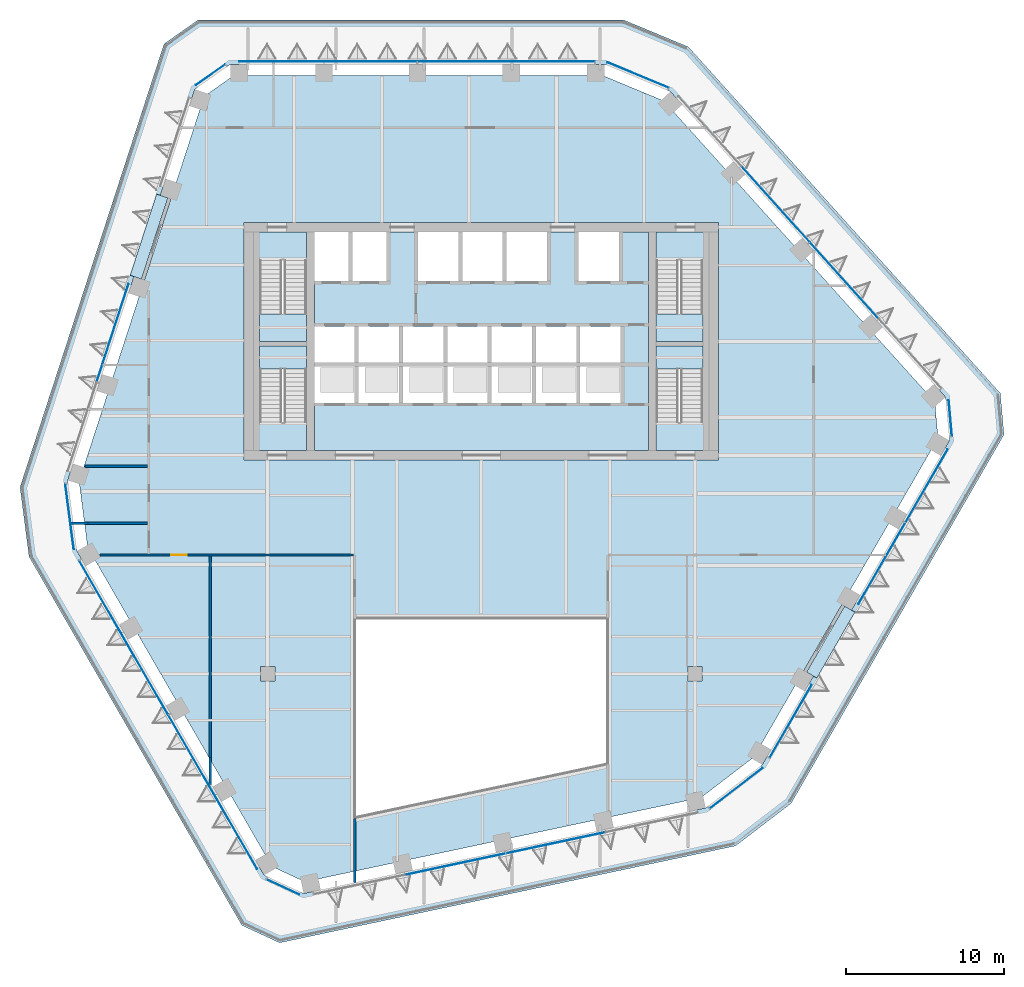
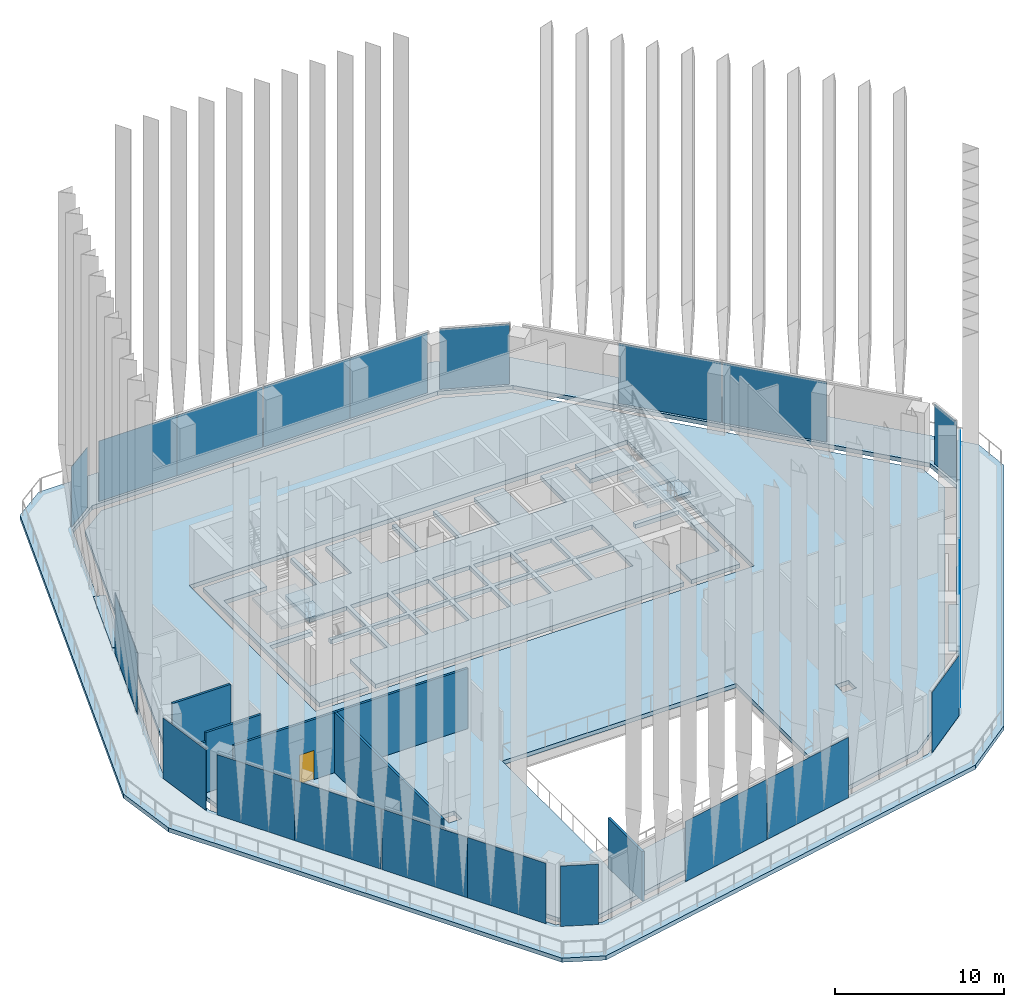
# One storey, part 8 of 21: 22 plates, 11 slabs, 7 walls, 1 door, 1 opening, 16 elements without a shape of their own.
"""IFC4 building model written with IfcOpenShell, lengths in metres."""

import ifcopenshell
import ifcopenshell.guid

model = None  # the IFC model being written
_history = None  # IfcOwnerHistory: only IFC2X3 demands one
_inside = {}  # id of a spatial element -> (the spatial element, [elements in it])
_under = {}  # id of a project, library or spatial element -> (it, [spatial elements below it])
_declared = {}  # id of a project -> (the project, [libraries it declares])
_typed = {}  # id of a type object -> (the type object, [elements of that type])
_made_of = {}  # id of a material, layer set ... -> (it, [elements and type objects made of it])


def new_model(schema):
    """Start an empty IFC model of exactly this schema.

    Asked for "IFC4X3", IfcOpenShell would pick the latest addendum, in which some entities
    have other attributes; the version numbers below select the first issue.
    IFC2X3 requires an IfcOwnerHistory on every rooted entity: one is made here for all.
    """
    global model, _history
    if schema == "IFC4X3":
        model = ifcopenshell.file(schema_version=(4, 3, 0, 0))
    else:
        model = ifcopenshell.file(schema=schema)
    _inside.clear()
    _under.clear()
    _declared.clear()
    _typed.clear()
    _made_of.clear()
    _history = None
    if model.schema == "IFC2X3":
        org = make("IfcOrganization", Name="unknown")
        user = make(
            "IfcPersonAndOrganization",
            ThePerson=make("IfcPerson", FamilyName="unknown"),
            TheOrganization=org,
        )
        app = make(
            "IfcApplication",
            ApplicationDeveloper=org,
            Version="unknown",
            ApplicationFullName="unknown",
            ApplicationIdentifier="unknown",
        )
        _history = make(
            "IfcOwnerHistory",
            OwningUser=user,
            OwningApplication=app,
            ChangeAction="ADDED",
            CreationDate=0,
        )
    return model


def make(cls, **values):
    """One entity of the class cls with the attributes given. An attribute that is None is left unset."""
    return model.create_entity(
        cls, **{name: value for name, value in values.items() if value is not None}
    )


def rooted(cls, **values):
    """An entity with a GlobalId (a new one), such as an element, a storey or a relation."""
    return make(cls, GlobalId=ifcopenshell.guid.new(), OwnerHistory=_history, **values)


def si_unit(unit_type, name, prefix=None):
    """IfcSIUnit, for example si_unit("LENGTHUNIT", "METRE", prefix="MILLI")."""
    return make("IfcSIUnit", UnitType=unit_type, Prefix=prefix, Name=name)


def assignment(units):
    """IfcUnitAssignment: the units of a project."""
    return None if units is None else make("IfcUnitAssignment", Units=units)


def point(xyz):
    """IfcCartesianPoint."""
    return None if xyz is None else make("IfcCartesianPoint", Coordinates=xyz)


def direction(xyz):
    """IfcDirection."""
    return None if xyz is None else make("IfcDirection", DirectionRatios=xyz)


def frame(location, z_axis=None, x_axis=None):
    """IfcAxis2Placement3D, a coordinate frame: its origin and axes. An axis left out is left unset."""
    return make(
        "IfcAxis2Placement3D",
        Location=point(location),
        Axis=direction(z_axis),
        RefDirection=direction(x_axis),
    )


def frame_2d(location, x_axis=None):
    """IfcAxis2Placement2D, a coordinate frame in the plane: its origin and x axis."""
    return make(
        "IfcAxis2Placement2D", Location=point(location), RefDirection=direction(x_axis)
    )


def origin():
    """The frame at (0, 0, 0) with its axes left unset."""
    return frame((0.0, 0.0, 0.0))


def origin_2d():
    """The frame at (0, 0) in the plane with its x axis left unset."""
    return frame_2d((0.0, 0.0))


def place(relative_to, where):
    """IfcLocalPlacement: puts the frame where relative to a parent placement (None: the world)."""
    return make(
        "IfcLocalPlacement", PlacementRelTo=relative_to, RelativePlacement=where
    )


def context(
    kind, dimensions, precision=None, world=None, true_north=None, identifier=None
):
    """IfcGeometricRepresentationContext, for example the 3D "Model" context."""
    return make(
        "IfcGeometricRepresentationContext",
        ContextIdentifier=identifier,
        ContextType=kind,
        CoordinateSpaceDimension=dimensions,
        Precision=precision,
        WorldCoordinateSystem=world,
        TrueNorth=true_north,
    )


def subcontext(parent, identifier, kind, view, scale=None):
    """IfcGeometricRepresentationSubContext, for example "Body" below "Model"."""
    return make(
        "IfcGeometricRepresentationSubContext",
        ContextIdentifier=identifier,
        ContextType=kind,
        ParentContext=parent,
        TargetScale=scale,
        TargetView=view,
    )


def project(units=None, contexts=None):
    """IfcProject with its units and contexts."""
    return rooted(
        "IfcProject",
        Name="project",
        RepresentationContexts=contexts,
        UnitsInContext=assignment(units),
    )


def spatial(cls, under=None, at=None, **own):
    """A site, building, storey or space (cls), placed at a placement, below another one or the project."""
    s = rooted(cls, ObjectPlacement=at, **own)
    if under is not None:
        _under.setdefault(under.id(), (under, []))[1].append(s)
    return s


def polyline(points):
    """IfcPolyline through the points."""
    return make("IfcPolyline", Points=[point(p) for p in points])


def profile(cls, at=None, kind="AREA", **sizes):
    """A parametric profile (cls). Its sizes go by their IFC names, for example OverallWidth=200.0."""
    return make(cls, ProfileType=kind, Position=at, **sizes)


def rectangle(**sizes):
    """IfcRectangleProfileDef."""
    return profile("IfcRectangleProfileDef", **sizes)


def outline(outer, holes=None, kind="AREA"):
    """IfcArbitraryClosedProfileDef: a profile drawn as a closed curve; with holes, ...WithVoids."""
    if holes is None:
        return make("IfcArbitraryClosedProfileDef", ProfileType=kind, OuterCurve=outer)
    return make(
        "IfcArbitraryProfileDefWithVoids",
        ProfileType=kind,
        OuterCurve=outer,
        InnerCurves=holes,
    )


def extrude(swept, where, along, depth):
    """IfcExtrudedAreaSolid: the profile swept, set in the frame where, extruded along a direction by depth."""
    return make(
        "IfcExtrudedAreaSolid",
        SweptArea=swept,
        Position=where,
        ExtrudedDirection=direction(along),
        Depth=depth,
    )


def shape(context_of_items, identifier, shape_type, items):
    """IfcShapeRepresentation: the items that make up one representation, for example the "Body"."""
    return make(
        "IfcShapeRepresentation",
        ContextOfItems=context_of_items,
        RepresentationIdentifier=identifier,
        RepresentationType=shape_type,
        Items=items,
    )


def material(Name=None, Category=None):
    """IfcMaterial."""
    return make("IfcMaterial", Name=Name, Category=Category)


def layer(
    of_material, thickness, ventilated=None, Name=None, Category=None, Priority=None
):
    """IfcMaterialLayer: one layer of a wall or slab, of a material (None: an air gap)."""
    return make(
        "IfcMaterialLayer",
        Material=of_material,
        LayerThickness=thickness,
        IsVentilated=ventilated,
        Name=Name,
        Category=Category,
        Priority=Priority,
    )


def layer_set(layers, Name=None):
    """IfcMaterialLayerSet."""
    return make("IfcMaterialLayerSet", MaterialLayers=layers, LayerSetName=Name)


def made_of(thing, what):
    """Note that an element or type object is made of a material, layer set ...; save() writes the relation."""
    if what is not None:
        _made_of.setdefault(what.id(), (what, []))[1].append(thing)
    return thing


def type_object(cls, material=None, **own):
    """A type object (cls), such as IfcWallType, which elements share."""
    return made_of(rooted(cls, **own), material)


def element(
    cls,
    number,
    at=None,
    inside=None,
    cuts=None,
    type_object=None,
    material=None,
    context=None,
    identifier="Body",
    shape_type=None,
    held_by="IfcProductDefinitionShape",
    body=None,
    shapes=None,
    **own,
):
    """One element of the class cls, such as IfcWall. Its Tag is "e" and its number.

    at: its placement. inside: the storey or other place that contains it. cuts: it is an
    opening in that element (IfcRelVoidsElement). A single representation is given by context,
    identifier, shape_type and body (its items); several are given by shapes. held_by: the class
    of the entity that holds the representations. save() writes the other relations.
    """
    e = rooted(cls, Tag="e%d" % number, ObjectPlacement=at, **own)
    if body is not None:
        shapes = [shape(context, identifier, shape_type, body)]
    if shapes is not None:
        e.Representation = make(held_by, Representations=shapes)
    if inside is not None:
        _inside.setdefault(inside.id(), (inside, []))[1].append(e)
    if cuts is not None:
        rooted(
            "IfcRelVoidsElement", RelatingBuildingElement=cuts, RelatedOpeningElement=e
        )
    if type_object is not None:
        _typed.setdefault(type_object.id(), (type_object, []))[1].append(e)
    return made_of(e, material)


def fill(opening, filler):
    """IfcRelFillsElement: the door or window that sits in an opening."""
    return rooted(
        "IfcRelFillsElement",
        RelatingOpeningElement=opening,
        RelatedBuildingElement=filler,
    )


def aggregate(whole, parts):
    """IfcRelAggregates: a whole, such as a stair, and the parts it consists of."""
    return rooted("IfcRelAggregates", RelatingObject=whole, RelatedObjects=parts)


def save(model, path):
    """Write the relations noted so far, then the file.

    IfcRelAggregates (storeys below a building ...), IfcRelContainedInSpatialStructure (elements
    in a storey), IfcRelDefinesByType, IfcRelAssociatesMaterial and IfcRelDeclares: one each for
    every whole, place, type object, material and project.
    """
    for whole, parts in _under.values():
        aggregate(whole, parts)
    for where, things in _inside.values():
        rooted(
            "IfcRelContainedInSpatialStructure",
            RelatedElements=things,
            RelatingStructure=where,
        )
    for kind, things in _typed.values():
        rooted("IfcRelDefinesByType", RelatedObjects=things, RelatingType=kind)
    for what, things in _made_of.values():
        rooted("IfcRelAssociatesMaterial", RelatedObjects=things, RelatingMaterial=what)
    for by, libraries in _declared.values():
        rooted("IfcRelDeclares", RelatingContext=by, RelatedDefinitions=libraries)
    model.write(path)


model = new_model("IFC4")

# Units and contexts
model_context = context("Model", 3, precision=1e-05, world=origin(), true_north=direction((0.0, 1.0)))
body_context = subcontext(model_context, "Body", "Model", "MODEL_VIEW")
ifc_project = project(units=[si_unit("LENGTHUNIT", "METRE"), si_unit("AREAUNIT", "SQUARE_METRE"), si_unit("VOLUMEUNIT", "CUBIC_METRE"), si_unit("PLANEANGLEUNIT", "RADIAN"), si_unit("MASSUNIT", "GRAM", prefix="KILO")], contexts=[model_context])

# Site, building, storey
site_placement = place(None, origin())
site = spatial("IfcSite", under=ifc_project, at=site_placement, CompositionType="ELEMENT")
building_placement = place(site_placement, origin())
building = spatial("IfcBuilding", under=site, at=building_placement, Name="Isthmus Gate Tower", CompositionType="ELEMENT")
storey_placement = place(building_placement, frame((0.0, 0.0, 211.800048828125)))
storey = spatial("IfcBuildingStorey", under=building, at=storey_placement, Name="L53", CompositionType="ELEMENT", Elevation=211.800048828125)

# Slabs
ifc_material_1 = material(Name="Concrete f'c 40 MPa", Category="concrete")
ifc_layer_1 = layer(ifc_material_1, 0.300048828125)
ifc_layer_set_1 = layer_set([ifc_layer_1], Name="CORE FLOOR SLAB 300")
slab_type_1 = type_object("IfcSlabType", Name="CORE FLOOR SLAB 300", PredefinedType="FLOOR", material=ifc_layer_set_1)
slab_1_placement = place(storey_placement, frame((0.0, 0.0, -0.300048828125)))
element("IfcSlab", 1, at=slab_1_placement, inside=storey, type_object=slab_type_1, Name="L53 core floor", PredefinedType="FLOOR", context=body_context, shape_type="SweptSolid", body=[
    extrude(outline(polyline([(-11.050048828125, 0.60009765625), (-11.050048828125, 2.402099609375), (-14.0, 2.402099609375), (-14.0, 7.199951171875), (-11.050048828125, 7.199951171875), (-11.050048828125, 7.5), (-14.0, 7.5), (-14.0, 12.597900390625), (-11.050048828125, 12.597900390625), (-11.050048828125, 14.39990234375), (-14.39990234375, 14.39990234375), (-14.39990234375, 0.60009765625), (-11.050048828125, 0.60009765625)])), origin(), (0.0, 0.0, 1.0), 0.300048828125),
])
slab_2_placement = place(storey_placement, frame((0.0, 0.0, -0.300048828125)))
element("IfcSlab", 2, at=slab_2_placement, inside=storey, type_object=slab_type_1, Name="L53 core floor", PredefinedType="FLOOR", context=body_context, shape_type="SweptSolid", body=[
    extrude(outline(polyline([(10.550048828125, 14.39990234375), (8.699951171875, 14.39990234375), (8.699951171875, 11.300048828125), (6.14990234375, 11.300048828125), (6.14990234375, 14.39990234375), (4.14990234375, 14.39990234375), (4.14990234375, 11.300048828125), (1.60009765625, 11.300048828125), (1.60009765625, 14.39990234375), (1.35009765625, 14.39990234375), (1.35009765625, 11.300048828125), (-1.199951171875, 11.300048828125), (-1.199951171875, 14.39990234375), (-1.449951171875, 14.39990234375), (-1.449951171875, 11.300048828125), (-4.0, 11.300048828125), (-4.0, 14.39990234375), (-6.0, 14.39990234375), (-6.0, 11.300048828125), (-8.14990234375, 11.300048828125), (-8.14990234375, 14.39990234375), (-8.39990234375, 14.39990234375), (-8.39990234375, 11.300048828125), (-10.550048828125, 11.300048828125), (-10.550048828125, 8.449951171875), (-8.0, 8.449951171875), (-8.0, 6.14990234375), (-10.550048828125, 6.14990234375), (-10.550048828125, 5.89990234375), (-8.0, 5.89990234375), (-8.0, 3.60009765625), (-10.550048828125, 3.60009765625), (-10.550048828125, 0.60009765625), (10.550048828125, 0.60009765625), (10.550048828125, 14.39990234375)]), holes=[polyline([(-5.199951171875, 3.60009765625), (-7.75, 3.60009765625), (-7.75, 5.89990234375), (-5.199951171875, 5.89990234375), (-5.199951171875, 3.60009765625)]), polyline([(-2.39990234375, 3.60009765625), (-4.949951171875, 3.60009765625), (-4.949951171875, 5.89990234375), (-2.39990234375, 5.89990234375), (-2.39990234375, 3.60009765625)]), polyline([(-5.199951171875, 6.14990234375), (-7.75, 6.14990234375), (-7.75, 8.449951171875), (-5.199951171875, 8.449951171875), (-5.199951171875, 6.14990234375)]), polyline([(-2.39990234375, 8.449951171875), (-2.39990234375, 6.14990234375), (-4.949951171875, 6.14990234375), (-4.949951171875, 8.449951171875), (-2.39990234375, 8.449951171875)]), polyline([(0.39990234375, 6.14990234375), (-2.14990234375, 6.14990234375), (-2.14990234375, 8.449951171875), (0.39990234375, 8.449951171875), (0.39990234375, 6.14990234375)]), polyline([(0.39990234375, 5.89990234375), (0.39990234375, 3.60009765625), (-2.14990234375, 3.60009765625), (-2.14990234375, 5.89990234375), (0.39990234375, 5.89990234375)]), polyline([(3.199951171875, 3.60009765625), (0.64990234375, 3.60009765625), (0.64990234375, 5.89990234375), (3.199951171875, 5.89990234375), (3.199951171875, 3.60009765625)]), polyline([(6.0, 3.60009765625), (3.449951171875, 3.60009765625), (3.449951171875, 5.89990234375), (6.0, 5.89990234375), (6.0, 3.60009765625)]), polyline([(8.800048828125, 5.89990234375), (8.800048828125, 3.60009765625), (6.25, 3.60009765625), (6.25, 5.89990234375), (8.800048828125, 5.89990234375)]), polyline([(3.199951171875, 6.14990234375), (0.64990234375, 6.14990234375), (0.64990234375, 8.449951171875), (3.199951171875, 8.449951171875), (3.199951171875, 6.14990234375)]), polyline([(6.0, 8.449951171875), (6.0, 6.14990234375), (3.449951171875, 6.14990234375), (3.449951171875, 8.449951171875), (6.0, 8.449951171875)]), polyline([(8.800048828125, 6.14990234375), (6.25, 6.14990234375), (6.25, 8.449951171875), (8.800048828125, 8.449951171875), (8.800048828125, 6.14990234375)])]), origin(), (0.0, 0.0, 1.0), 0.300048828125),
])
slab_3_placement = place(storey_placement, frame((0.0, 0.0, -0.300048828125)))
element("IfcSlab", 3, at=slab_3_placement, inside=storey, type_object=slab_type_1, Name="L53 core floor", PredefinedType="FLOOR", context=body_context, shape_type="SweptSolid", body=[
    extrude(outline(polyline([(11.050048828125, 14.39990234375), (11.050048828125, 12.597900390625), (14.0, 12.597900390625), (14.0, 7.5), (11.050048828125, 7.5), (11.050048828125, 7.199951171875), (14.0, 7.199951171875), (14.0, 2.402099609375), (11.050048828125, 2.402099609375), (11.050048828125, 0.60009765625), (14.39990234375, 0.60009765625), (14.39990234375, 14.39990234375), (11.050048828125, 14.39990234375)])), origin(), (0.0, 0.0, 1.0), 0.300048828125),
])

# Curtain wall, plates
ifc_material_2 = material(Name="Aluminium, pale champagne anodised", Category="aluminium")
ifc_layer_2 = layer(ifc_material_2, 0.199951171875)
ifc_layer_set_2 = layer_set([ifc_layer_2], Name="CW-1 UNITISED CURTAIN WALL 200 DEEP")
curtain_wall_type = type_object("IfcCurtainWallType", Name="CW-1 UNITISED CURTAIN WALL 200 DEEP", PredefinedType="NOTDEFINED", material=ifc_layer_set_2)
curtain_wall_1_placement = place(storey_placement, origin())
curtain_wall_1 = element("IfcCurtainWall", 4, at=curtain_wall_1_placement, inside=storey, type_object=curtain_wall_type, Name="CW-1 N L53", PredefinedType="NOTDEFINED")
ifc_material_3 = material(Name="Laminated low-iron glass, pale blue tint", Category="glass")
ifc_layer_3 = layer(ifc_material_3, 0.031982421875)
ifc_layer_set_3 = layer_set([ifc_layer_3], Name="CW-1 CLEAR GLASS LITE 32")
plate_type = type_object("IfcPlateType", Name="CW-1 CLEAR GLASS LITE 32", PredefinedType="CURTAIN_PANEL", material=ifc_layer_set_3)
plate_1_placement = place(storey_placement, frame((4.53076171875, 25.18408203125, 0.0), z_axis=(0.0, 0.0, 1.0), x_axis=(-1.0, 0.0, 0.0)))
plate_1 = element("IfcPlate", 5, at=plate_1_placement, type_object=plate_type, Name="CW-1 glass lite", PredefinedType="CURTAIN_PANEL", context=body_context, shape_type="SweptSolid", body=[
    extrude(rectangle(XDim=5.300537109375, YDim=0.031982421875, at=origin_2d()), origin(), (0.0, 0.0, 1.0), 4.3701171875),
])
plate_2_placement = place(storey_placement, frame((-1.07470703125, 25.18408203125, 0.0), z_axis=(0.0, 0.0, 1.0), x_axis=(-1.0, 0.0, 0.0)))
plate_2 = element("IfcPlate", 6, at=plate_2_placement, type_object=plate_type, Name="CW-1 glass lite", PredefinedType="CURTAIN_PANEL", context=body_context, shape_type="SweptSolid", body=[
    extrude(rectangle(XDim=5.91064453125, YDim=0.031982421875, at=origin_2d()), origin(), (0.0, 0.0, 1.0), 4.3701171875),
])
plate_3_placement = place(storey_placement, frame((-7.015380859375, 25.18408203125, 0.0), z_axis=(0.0, 0.0, 1.0), x_axis=(-1.0, 0.0, 0.0)))
plate_3 = element("IfcPlate", 7, at=plate_3_placement, type_object=plate_type, Name="CW-1 glass lite", PredefinedType="CURTAIN_PANEL", context=body_context, shape_type="SweptSolid", body=[
    extrude(rectangle(XDim=5.8505859375, YDim=0.031982421875, at=origin_2d()), origin(), (0.0, 0.0, 1.0), 4.3701171875),
])
plate_4_placement = place(storey_placement, frame((-12.62109375, 25.18408203125, 0.0), z_axis=(0.0, 0.0, 1.0), x_axis=(-1.0, 0.0, 0.0)))
plate_4 = element("IfcPlate", 8, at=plate_4_placement, type_object=plate_type, Name="CW-1 glass lite", PredefinedType="CURTAIN_PANEL", context=body_context, shape_type="SweptSolid", body=[
    extrude(rectangle(XDim=5.360595703125, YDim=0.031982421875, at=origin_2d()), origin(), (0.0, 0.0, 1.0), 4.3701171875),
])
aggregate(curtain_wall_1, [plate_1, plate_2, plate_3, plate_4])

# Curtain wall, plate
curtain_wall_2_placement = place(storey_placement, origin())
curtain_wall_2 = element("IfcCurtainWall", 9, at=curtain_wall_2_placement, inside=storey, type_object=curtain_wall_type, Name="CW-1 N-NW L53", PredefinedType="NOTDEFINED")
plate_5_placement = place(storey_placement, frame((-17.1025390625, 24.3447265625, 0.0), z_axis=(0.0, 0.0, 1.0), x_axis=(-0.81785959165, -0.57541783805, 0.0)))
plate_5 = element("IfcPlate", 10, at=plate_5_placement, type_object=plate_type, Name="CW-1 glass lite", PredefinedType="CURTAIN_PANEL", context=body_context, shape_type="SweptSolid", body=[
    extrude(rectangle(XDim=2.258544921875, YDim=0.031982421875, at=origin_2d()), origin(), (0.0, 0.0, 1.0), 4.3701171875),
])
aggregate(curtain_wall_2, [plate_5])

curtain_wall_3_placement = place(storey_placement, origin())
curtain_wall_3 = element("IfcCurtainWall", 11, at=curtain_wall_3_placement, inside=storey, type_object=curtain_wall_type, Name="CW-1 NW L53", PredefinedType="NOTDEFINED")
plate_6_placement = place(storey_placement, frame((-23.29443359375, 8.036376953125, 0.0), z_axis=(0.0, 0.0, 1.0), x_axis=(-0.309016994375, -0.951056516295, 0.0)))
plate_6 = element("IfcPlate", 12, at=plate_6_placement, type_object=plate_type, Name="CW-1 glass lite", PredefinedType="CURTAIN_PANEL", context=body_context, shape_type="SweptSolid", body=[
    extrude(rectangle(XDim=6.491943359375, YDim=0.031982421875, at=origin_2d()), origin(), (0.0, 0.0, 1.0), 4.3701171875),
])
aggregate(curtain_wall_3, [plate_6])

curtain_wall_4_placement = place(storey_placement, origin())
curtain_wall_4 = element("IfcCurtainWall", 13, at=curtain_wall_4_placement, inside=storey, type_object=curtain_wall_type, Name="CW-1 NW-SW L53", PredefinedType="NOTDEFINED")
plate_7_placement = place(storey_placement, frame((-26.014892578125, -3.57958984375, 0.0), z_axis=(0.0, 0.0, 1.0), x_axis=(0.129164534, -0.991623175988, 0.0)))
plate_7 = element("IfcPlate", 14, at=plate_7_placement, type_object=plate_type, Name="CW-1 glass lite", PredefinedType="CURTAIN_PANEL", context=body_context, shape_type="SweptSolid", body=[
    extrude(rectangle(XDim=4.181396484375, YDim=0.031982421875, at=origin_2d()), origin(), (0.0, 0.0, 1.0), 4.3701171875),
])
aggregate(curtain_wall_4, [plate_7])

# Curtain wall, plates
curtain_wall_5_placement = place(storey_placement, origin())
curtain_wall_5 = element("IfcCurtainWall", 15, at=curtain_wall_5_placement, inside=storey, type_object=curtain_wall_type, Name="CW-1 SW L53", PredefinedType="NOTDEFINED")
plate_8_placement = place(storey_placement, frame((-24.075439453125, -8.668212890625, 0.0), z_axis=(0.0, 0.0, 1.0), x_axis=(0.5, -0.866025403784, 0.0)))
plate_8 = element("IfcPlate", 16, at=plate_8_placement, type_object=plate_type, Name="CW-1 glass lite", PredefinedType="CURTAIN_PANEL", context=body_context, shape_type="SweptSolid", body=[
    extrude(rectangle(XDim=5.300537109375, YDim=0.031982421875, at=origin_2d()), origin(), (0.0, 0.0, 1.0), 4.3701171875),
])
plate_9_placement = place(storey_placement, frame((-21.272705078125, -13.522705078125, 0.0), z_axis=(0.0, 0.0, 1.0), x_axis=(0.5, -0.866025403784, 0.0)))
plate_9 = element("IfcPlate", 17, at=plate_9_placement, type_object=plate_type, Name="CW-1 glass lite", PredefinedType="CURTAIN_PANEL", context=body_context, shape_type="SweptSolid", body=[
    extrude(rectangle(XDim=5.91064453125, YDim=0.031982421875, at=origin_2d()), origin(), (0.0, 0.0, 1.0), 4.3701171875),
])
plate_10_placement = place(storey_placement, frame((-18.30224609375, -18.66748046875, 0.0), z_axis=(0.0, 0.0, 1.0), x_axis=(0.5, -0.866025403784, 0.0)))
plate_10 = element("IfcPlate", 18, at=plate_10_placement, type_object=plate_type, Name="CW-1 glass lite", PredefinedType="CURTAIN_PANEL", context=body_context, shape_type="SweptSolid", body=[
    extrude(rectangle(XDim=5.8505859375, YDim=0.031982421875, at=origin_2d()), origin(), (0.0, 0.0, 1.0), 4.3701171875),
])
plate_11_placement = place(storey_placement, frame((-15.49951171875, -23.52197265625, 0.0), z_axis=(0.0, 0.0, 1.0), x_axis=(0.5, -0.866025403784, 0.0)))
plate_11 = element("IfcPlate", 19, at=plate_11_placement, type_object=plate_type, Name="CW-1 glass lite", PredefinedType="CURTAIN_PANEL", context=body_context, shape_type="SweptSolid", body=[
    extrude(rectangle(XDim=5.360595703125, YDim=0.031982421875, at=origin_2d()), origin(), (0.0, 0.0, 1.0), 4.3701171875),
])
aggregate(curtain_wall_5, [plate_8, plate_9, plate_10, plate_11])

# Curtain wall, plate
curtain_wall_6_placement = place(storey_placement, origin())
curtain_wall_6 = element("IfcCurtainWall", 20, at=curtain_wall_6_placement, inside=storey, type_object=curtain_wall_type, Name="CW-1 SW-S L53", PredefinedType="NOTDEFINED")
plate_12_placement = place(storey_placement, frame((-12.531982421875, -26.9833984375, 0.0), z_axis=(0.0, 0.0, 1.0), x_axis=(0.907256261367, -0.420578264073, 0.0)))
plate_12 = element("IfcPlate", 21, at=plate_12_placement, type_object=plate_type, Name="CW-1 glass lite", PredefinedType="CURTAIN_PANEL", context=body_context, shape_type="SweptSolid", body=[
    extrude(rectangle(XDim=2.258544921875, YDim=0.031982421875, at=origin_2d()), origin(), (0.0, 0.0, 1.0), 4.3701171875),
])
aggregate(curtain_wall_6, [plate_12])

# Curtain wall, plates
curtain_wall_7_placement = place(storey_placement, origin())
curtain_wall_7 = element("IfcCurtainWall", 22, at=curtain_wall_7_placement, inside=storey, type_object=curtain_wall_type, Name="CW-1 S L53", PredefinedType="NOTDEFINED")
plate_13_placement = place(storey_placement, frame((-1.66259765625, -25.54150390625, 0.0), z_axis=(0.0, 0.0, 1.0), x_axis=(0.978147600734, 0.207911690818, 0.0)))
plate_13 = element("IfcPlate", 23, at=plate_13_placement, type_object=plate_type, Name="CW-1 glass lite", PredefinedType="CURTAIN_PANEL", context=body_context, shape_type="SweptSolid", body=[
    extrude(rectangle(XDim=6.491943359375, YDim=0.031982421875, at=origin_2d()), origin(), (0.0, 0.0, 1.0), 4.3701171875),
])
plate_14_placement = place(storey_placement, frame((4.716796875, -24.185546875, 0.0), z_axis=(0.0, 0.0, 1.0), x_axis=(0.978147600734, 0.207911690818, 0.0)))
plate_14 = element("IfcPlate", 24, at=plate_14_placement, type_object=plate_type, Name="CW-1 glass lite", PredefinedType="CURTAIN_PANEL", context=body_context, shape_type="SweptSolid", body=[
    extrude(rectangle(XDim=6.431884765625, YDim=0.031982421875, at=origin_2d()), origin(), (0.0, 0.0, 1.0), 4.3701171875),
])
aggregate(curtain_wall_7, [plate_13, plate_14])

# Curtain wall, plate
curtain_wall_8_placement = place(storey_placement, origin())
curtain_wall_8 = element("IfcCurtainWall", 25, at=curtain_wall_8_placement, inside=storey, type_object=curtain_wall_type, Name="CW-1 S-SE L53", PredefinedType="NOTDEFINED")
plate_15_placement = place(storey_placement, frame((16.107421875, -20.73974609375, 0.0), z_axis=(0.0, 0.0, 1.0), x_axis=(0.794188594387, 0.607671355706, 0.0)))
plate_15 = element("IfcPlate", 26, at=plate_15_placement, type_object=plate_type, Name="CW-1 glass lite", PredefinedType="CURTAIN_PANEL", context=body_context, shape_type="SweptSolid", body=[
    extrude(rectangle(XDim=4.181396484375, YDim=0.031982421875, at=origin_2d()), origin(), (0.0, 0.0, 1.0), 4.3701171875),
])
aggregate(curtain_wall_8, [plate_15])

# Curtain wall, plates
curtain_wall_9_placement = place(storey_placement, origin())
curtain_wall_9 = element("IfcCurtainWall", 27, at=curtain_wall_9_placement, inside=storey, type_object=curtain_wall_type, Name="CW-1 SE L53", PredefinedType="NOTDEFINED")
plate_16_placement = place(storey_placement, frame((19.544677734375, -16.515869140625, 0.0), z_axis=(0.0, 0.0, 1.0), x_axis=(0.5, 0.866025403784, 0.0)))
plate_16 = element("IfcPlate", 28, at=plate_16_placement, type_object=plate_type, Name="CW-1 glass lite", PredefinedType="CURTAIN_PANEL", context=body_context, shape_type="SweptSolid", body=[
    extrude(rectangle(XDim=5.300537109375, YDim=0.031982421875, at=origin_2d()), origin(), (0.0, 0.0, 1.0), 4.3701171875),
])
plate_17_placement = place(storey_placement, frame((25.302734375, -6.54248046875, 0.0), z_axis=(0.0, 0.0, 1.0), x_axis=(0.5, 0.866025403784, 0.0)))
plate_17 = element("IfcPlate", 29, at=plate_17_placement, type_object=plate_type, Name="CW-1 glass lite", PredefinedType="CURTAIN_PANEL", context=body_context, shape_type="SweptSolid", body=[
    extrude(rectangle(XDim=5.91064453125, YDim=0.031982421875, at=origin_2d()), origin(), (0.0, 0.0, 1.0), 4.3701171875),
])
plate_18_placement = place(storey_placement, frame((28.135498046875, -1.635986328125, 0.0), z_axis=(0.0, 0.0, 1.0), x_axis=(0.5, 0.866025403784, 0.0)))
plate_18 = element("IfcPlate", 30, at=plate_18_placement, type_object=plate_type, Name="CW-1 glass lite", PredefinedType="CURTAIN_PANEL", context=body_context, shape_type="SweptSolid", body=[
    extrude(rectangle(XDim=5.300537109375, YDim=0.031982421875, at=origin_2d()), origin(), (0.0, 0.0, 1.0), 4.3701171875),
])
aggregate(curtain_wall_9, [plate_16, plate_17, plate_18])

# Curtain wall, plate
curtain_wall_10_placement = place(storey_placement, origin())
curtain_wall_10 = element("IfcCurtainWall", 31, at=curtain_wall_10_placement, inside=storey, type_object=curtain_wall_type, Name="CW-1 SE-NE L53", PredefinedType="NOTDEFINED")
plate_19_placement = place(storey_placement, frame((29.63427734375, 2.638671875, 0.0), z_axis=(0.0, 0.0, 1.0), x_axis=(-0.089396669717, 0.995996102123, 0.0)))
plate_19 = element("IfcPlate", 32, at=plate_19_placement, type_object=plate_type, Name="CW-1 glass lite", PredefinedType="CURTAIN_PANEL", context=body_context, shape_type="SweptSolid", body=[
    extrude(rectangle(XDim=2.258544921875, YDim=0.031982421875, at=origin_2d()), origin(), (0.0, 0.0, 1.0), 4.3701171875),
])
aggregate(curtain_wall_10, [plate_19])

# Curtain wall, plates
curtain_wall_11_placement = place(storey_placement, origin())
curtain_wall_11 = element("IfcCurtainWall", 33, at=curtain_wall_11_placement, inside=storey, type_object=curtain_wall_type, Name="CW-1 NE L53", PredefinedType="NOTDEFINED")
plate_20_placement = place(storey_placement, frame((22.950927734375, 11.330810546875, 0.0), z_axis=(0.0, 0.0, 1.0), x_axis=(-0.669130606359, 0.743144825477, 0.0)))
plate_20 = element("IfcPlate", 34, at=plate_20_placement, type_object=plate_type, Name="CW-1 glass lite", PredefinedType="CURTAIN_PANEL", context=body_context, shape_type="SweptSolid", body=[
    extrude(rectangle(XDim=6.491943359375, YDim=0.031982421875, at=origin_2d()), origin(), (0.0, 0.0, 1.0), 4.3701171875),
])
plate_21_placement = place(storey_placement, frame((18.5869140625, 16.177734375, 0.0), z_axis=(0.0, 0.0, 1.0), x_axis=(-0.669130606359, 0.743144825477, 0.0)))
plate_21 = element("IfcPlate", 35, at=plate_21_placement, type_object=plate_type, Name="CW-1 glass lite", PredefinedType="CURTAIN_PANEL", context=body_context, shape_type="SweptSolid", body=[
    extrude(rectangle(XDim=6.431884765625, YDim=0.031982421875, at=origin_2d()), origin(), (0.0, 0.0, 1.0), 4.3701171875),
])
aggregate(curtain_wall_11, [plate_20, plate_21])

# Curtain wall, plate
curtain_wall_12_placement = place(storey_placement, origin())
curtain_wall_12 = element("IfcCurtainWall", 36, at=curtain_wall_12_placement, inside=storey, type_object=curtain_wall_type, Name="CW-1 NE-N L53", PredefinedType="NOTDEFINED")
plate_22_placement = place(storey_placement, frame((9.907470703125, 24.3193359375, 0.0), z_axis=(0.0, 0.0, 1.0), x_axis=(-0.923353128387, 0.383951820282, 0.0)))
plate_22 = element("IfcPlate", 37, at=plate_22_placement, type_object=plate_type, Name="CW-1 glass lite", PredefinedType="CURTAIN_PANEL", context=body_context, shape_type="SweptSolid", body=[
    extrude(rectangle(XDim=4.181396484375, YDim=0.031982421875, at=origin_2d()), origin(), (0.0, 0.0, 1.0), 4.3701171875),
])
aggregate(curtain_wall_12, [plate_22])

# Slabs
ifc_material_4 = material(Name="Precast concrete C40/50", Category="concrete")
ifc_layer_4 = layer(ifc_material_4, 0.0400390625)
ifc_layer_set_4 = layer_set([ifc_layer_4], Name="DOOR LANDING SLAB 40")
slab_type_2 = type_object("IfcSlabType", Name="DOOR LANDING SLAB 40", PredefinedType="LANDING", material=ifc_layer_set_4)
slab_4_placement = place(storey_placement, origin())
element("IfcSlab", 38, at=slab_4_placement, inside=storey, type_object=slab_type_2, Name="DOOR LANDING", PredefinedType="LANDING", context=body_context, shape_type="SweptSolid", body=[
    extrude(outline(polyline([(-20.51806640625, 16.794921875), (-22.18408203125, 11.6669921875), (-21.470947265625, 11.435302734375), (-19.8046875, 16.563232421875), (-20.51806640625, 16.794921875)])), origin(), (0.0, 0.0, 1.0), 0.0400390625),
])
slab_5_placement = place(storey_placement, origin())
element("IfcSlab", 39, at=slab_5_placement, inside=storey, type_object=slab_type_2, Name="DOOR LANDING", PredefinedType="LANDING", context=body_context, shape_type="SweptSolid", body=[
    extrude(outline(polyline([(21.201904296875, -13.77734375), (23.607177734375, -9.611083984375), (22.957763671875, -9.236083984375), (20.552490234375, -13.40234375), (21.201904296875, -13.77734375)])), origin(), (0.0, 0.0, 1.0), 0.0400390625),
])
ifc_material_5 = material(Name="Concrete f'c 40 MPa", Category="concrete")
ifc_layer_5 = layer(ifc_material_5, 0.300048828125)
ifc_layer_set_5 = layer_set([ifc_layer_5], Name="LEDGE ROOF SLAB 300")
slab_type_3 = type_object("IfcSlabType", Name="LEDGE ROOF SLAB 300", PredefinedType="ROOF", material=ifc_layer_set_5)
slab_6_placement = place(storey_placement, frame((0.0, 0.0, -0.300048828125)))
element("IfcSlab", 40, at=slab_6_placement, inside=storey, type_object=slab_type_3, Name="str-ledge-L53", PredefinedType="ROOF", context=body_context, shape_type="SweptSolid", body=[
    extrude(outline(polyline([(32.790283203125, 4.21484375), (33.02490234375, 1.6005859375), (19.576171875, -21.693115234375), (16.06298828125, -24.38134765625), (-12.7451171875, -30.504638671875), (-15.126220703125, -29.400634765625), (-28.57470703125, -6.10693359375), (-29.146240234375, -1.72021484375), (-20.045166015625, 26.289794921875), (-17.898681640625, 27.800048828125), (8.99853515625, 27.800048828125), (13.08349609375, 26.1015625), (32.790283203125, 4.21484375)]), holes=[polyline([(-18.104248046875, 23.4150390625), (-18.444091796875, 22.368896484375), (-19.940185546875, 17.763916015625), (-20.2802734375, 16.7177734375), (-21.9462890625, 11.589599609375), (-22.286376953125, 10.543701171875), (-23.952392578125, 5.41552734375), (-24.29248046875, 4.369384765625), (-25.78857421875, -0.235595703125), (-26.128662109375, -1.281494140625), (-25.546142578125, -5.752685546875), (-24.99609375, -6.705322265625), (-22.865966796875, -10.39501953125), (-22.31591796875, -11.347900390625), (-19.91064453125, -15.513916015625), (-19.70068359375, -15.877685546875), (-19.360595703125, -16.466552734375), (-16.955322265625, -20.632568359375), (-16.4052734375, -21.585205078125), (-14.27490234375, -25.27490234375), (-13.72509765625, -26.2275390625), (-11.225830078125, -27.385986328125), (-10.14990234375, -27.157470703125), (-5.413818359375, -26.150634765625), (-5.1240234375, -26.089111328125), (-4.337890625, -25.922119140625), (0.936279296875, -24.801025390625), (1.134521484375, -24.7587890625), (2.01220703125, -24.572265625), (7.2861328125, -23.451416015625), (8.3623046875, -23.22265625), (13.098388671875, -22.2158203125), (14.17431640625, -21.9873046875), (17.755126953125, -19.247314453125), (18.30517578125, -18.294677734375), (20.435302734375, -14.60498046875), (20.9853515625, -13.652099609375), (23.390625, -9.486083984375), (23.736328125, -8.88720703125), (23.940673828125, -8.533447265625), (26.345947265625, -4.367431640625), (26.89599609375, -3.414794921875), (29.0263671875, 0.27490234375), (29.576416015625, 1.2275390625), (29.330078125, 3.97119140625), (28.593994140625, 4.78857421875), (25.35400390625, 8.386962890625), (24.6181640625, 9.204345703125), (21.01025390625, 13.211181640625), (20.274169921875, 14.02880859375), (16.666259765625, 18.03564453125), (15.93017578125, 18.85302734375), (12.6904296875, 22.451416015625), (11.954345703125, 23.268798828125), (7.791015625, 25.0), (6.691162109375, 25.0), (2.430419921875, 25.0), (1.33056640625, 25.0), (-3.47998046875, 25.0), (-4.580078125, 25.0), (-9.390625, 25.0), (-10.49072265625, 25.0), (-14.751220703125, 25.0), (-15.851318359375, 25.0), (-18.104248046875, 23.4150390625)])]), origin(), (0.0, 0.0, 1.0), 0.300048828125),
])
ifc_material_6 = material(Name="Concrete f'c 40 MPa", Category="concrete")
ifc_layer_6 = layer(ifc_material_6, 0.300048828125)
ifc_layer_set_6 = layer_set([ifc_layer_6], Name="SKY LOBBY FLOOR SLAB 300")
slab_type_4 = type_object("IfcSlabType", Name="SKY LOBBY FLOOR SLAB 300", PredefinedType="FLOOR", material=ifc_layer_set_6)
slab_7_placement = place(storey_placement, frame((0.0, 0.0, -0.300048828125)))
element("IfcSlab", 41, at=slab_7_placement, inside=storey, type_object=slab_type_4, Name="str-slab-L53-1", PredefinedType="FLOOR", context=body_context, shape_type="SweptSolid", body=[
    extrude(outline(polyline([(11.539794921875, 22.68310546875), (28.65380859375, 3.67626953125), (28.859375, 1.3857421875), (17.21875, -18.7763671875), (13.874267578125, -21.335205078125), (-11.143310546875, -26.65283203125), (-13.2294921875, -25.685791015625), (-24.8701171875, -5.523681640625), (-25.4140625, -1.347900390625), (-17.510498046875, 22.976806640625), (-15.629638671875, 24.300048828125), (7.6513671875, 24.300048828125), (11.539794921875, 22.68310546875)]), holes=[polyline([(-8.0, -10.0), (-8.0, -22.611083984375), (8.0, -19.210205078125), (8.0, -10.0), (-8.0, -10.0)]), polyline([(-13.949951171875, -13.050048828125), (-13.949951171875, -13.949951171875), (-13.050048828125, -13.949951171875), (-13.050048828125, -13.050048828125), (-13.949951171875, -13.050048828125)]), polyline([(13.050048828125, -13.050048828125), (13.050048828125, -13.949951171875), (13.949951171875, -13.949951171875), (13.949951171875, -13.050048828125), (13.050048828125, -13.050048828125)]), polyline([(-15.0, 0.0), (15.0, 0.0), (15.0, 15.0), (-15.0, 15.0), (-15.0, 0.0)])]), origin(), (0.0, 0.0, 1.0), 0.300048828125),
])

# Stair, slab
ifc_material_7 = material(Name="Concrete f'c 40 MPa", Category="concrete")
stair_type = type_object("IfcStairType", Name="CORE STAIR 26 RISERS", PredefinedType="HALF_TURN_STAIR", material=ifc_material_7)
stair_1_placement = place(storey_placement, origin())
stair_1 = element("IfcStair", 42, at=stair_1_placement, inside=storey, type_object=stair_type, Name="L53 Exit Stair 1", PredefinedType="HALF_TURN_STAIR")
ifc_material_8 = material(Name="Concrete f'c 40 MPa", Category="concrete")
ifc_layer_7 = layer(ifc_material_8, 0.199951171875)
ifc_layer_set_7 = layer_set([ifc_layer_7])
slab_type_5 = type_object("IfcSlabType", Name="STAIR LANDING RC 200", PredefinedType="LANDING", material=ifc_layer_set_7)
slab_8_placement = place(storey_placement, frame((0.0, 0.0, 2.050048828125)))
slab_8 = element("IfcSlab", 43, at=slab_8_placement, type_object=slab_type_5, Name="ST1 landing 1", PredefinedType="LANDING", context=body_context, shape_type="SweptSolid", body=[
    extrude(outline(polyline([(-14.0, 9.239990234375), (-14.0, 7.5), (-11.050048828125, 7.5), (-11.050048828125, 9.239990234375), (-14.0, 9.239990234375)])), origin(), (0.0, 0.0, 1.0), 0.199951171875),
])
aggregate(stair_1, [slab_8])

stair_2_placement = place(storey_placement, origin())
stair_2 = element("IfcStair", 44, at=stair_2_placement, inside=storey, type_object=stair_type, Name="L53 Exit Stair 2", PredefinedType="HALF_TURN_STAIR")
slab_9_placement = place(storey_placement, frame((0.0, 0.0, 2.050048828125)))
slab_9 = element("IfcSlab", 45, at=slab_9_placement, type_object=slab_type_5, Name="ST2 landing 1", PredefinedType="LANDING", context=body_context, shape_type="SweptSolid", body=[
    extrude(outline(polyline([(11.050048828125, 9.239990234375), (11.050048828125, 7.5), (14.0, 7.5), (14.0, 9.239990234375), (11.050048828125, 9.239990234375)])), origin(), (0.0, 0.0, 1.0), 0.199951171875),
])
aggregate(stair_2, [slab_9])

stair_3_placement = place(storey_placement, origin())
stair_3 = element("IfcStair", 46, at=stair_3_placement, inside=storey, type_object=stair_type, Name="L53 Exit Stair 7", PredefinedType="HALF_TURN_STAIR")
slab_10_placement = place(storey_placement, frame((0.0, 0.0, 2.050048828125)))
slab_10 = element("IfcSlab", 47, at=slab_10_placement, type_object=slab_type_5, Name="ST7 landing 1", PredefinedType="LANDING", context=body_context, shape_type="SweptSolid", body=[
    extrude(outline(polyline([(-11.050048828125, 5.760009765625), (-11.050048828125, 7.199951171875), (-14.0, 7.199951171875), (-14.0, 5.760009765625), (-11.050048828125, 5.760009765625)])), origin(), (0.0, 0.0, 1.0), 0.199951171875),
])
aggregate(stair_3, [slab_10])

stair_4_placement = place(storey_placement, origin())
stair_4 = element("IfcStair", 48, at=stair_4_placement, inside=storey, type_object=stair_type, Name="L53 Exit Stair 8", PredefinedType="HALF_TURN_STAIR")
slab_11_placement = place(storey_placement, frame((0.0, 0.0, 2.050048828125)))
slab_11 = element("IfcSlab", 49, at=slab_11_placement, type_object=slab_type_5, Name="ST8 landing 1", PredefinedType="LANDING", context=body_context, shape_type="SweptSolid", body=[
    extrude(outline(polyline([(14.0, 5.760009765625), (14.0, 7.199951171875), (11.050048828125, 7.199951171875), (11.050048828125, 5.760009765625), (14.0, 5.760009765625)])), origin(), (0.0, 0.0, 1.0), 0.199951171875),
])
aggregate(stair_4, [slab_11])

# Wall, opening, door
ifc_material_9 = material(Name="Gypsum board on cold-formed steel studs", Category="steel")
ifc_layer_8 = layer(ifc_material_9, 0.14990234375)
ifc_layer_set_8 = layer_set([ifc_layer_8])
wall_type = type_object("IfcWallType", Name="Partition 150 gypsum board on steel studs", PredefinedType="PARTITIONING", material=ifc_layer_set_8)
wall_1_placement = place(storey_placement, frame((-24.08984375, -6.0, 0.0), z_axis=(0.0, 0.0, 1.0), x_axis=(1.0, 0.0, 0.0)))
wall_1 = element("IfcWall", 50, at=wall_1_placement, inside=storey, type_object=wall_type, Name="Partition", PredefinedType="PARTITIONING", context=body_context, shape_type="SweptSolid", body=[
    extrude(rectangle(XDim=16.014892578125, YDim=0.14990234375, at=frame_2d((8.00732421875, 0.0))), origin(), (0.0, 0.0, 1.0), 4.349853515625),
])
opening_placement = place(wall_1_placement, frame((4.489990234375, 0.0, 0.0)))
opening = element("IfcOpeningElement", 51, at=opening_placement, cuts=wall_1, Name="Opening DP53-09", PredefinedType="OPENING", context=body_context, shape_type="SweptSolid", body=[
    extrude(rectangle(XDim=1.0, YDim=2.10009765625, at=frame_2d((0.5, 1.050048828125))), frame((0.0, 0.0849609375, 0.0), z_axis=(0.0, -1.0, 0.0), x_axis=(1.0, 0.0, 0.0)), (0.0, 0.0, 1.0), 0.169921875),
])
ifc_material_10 = material(Name="Hollow metal frame with solid-core timber leaf", Category="wood")
door_type = type_object("IfcDoorType", Name="Single swing door 1000 x 2100", OperationType="SINGLE_SWING_LEFT", PredefinedType="DOOR", material=ifc_material_10)
door_placement = place(opening_placement, origin())
door = element("IfcDoor", 52, at=door_placement, inside=storey, type_object=door_type, Name="Door DP53-09", OperationType="SINGLE_SWING_LEFT", OverallHeight=2.10009765625, OverallWidth=1.0, PredefinedType="DOOR", context=body_context, shape_type="SweptSolid", body=[
    extrude(rectangle(XDim=1.0, YDim=2.10009765625, at=frame_2d((0.5, 1.050048828125))), frame((0.0, 0.02490234375, 0.0), z_axis=(0.0, -1.0, 0.0), x_axis=(1.0, 0.0, 0.0)), (0.0, 0.0, 1.0), 0.050048828125),
])
fill(opening, door)

# Walls
wall_2_placement = place(storey_placement, frame((-25.944580078125, -4.0, 0.0), z_axis=(0.0, 0.0, 1.0), x_axis=(1.0, 0.0, 0.0)))
element("IfcWall", 53, at=wall_2_placement, inside=storey, type_object=wall_type, Name="Partition", PredefinedType="PARTITIONING", context=body_context, shape_type="SweptSolid", body=[
    extrude(rectangle(XDim=1.094482421875, YDim=0.14990234375, at=frame_2d((0.54736328125, 0.0))), origin(), (0.0, 0.0, 1.0), 3.699951171875),
])
wall_3_placement = place(storey_placement, frame((-24.85009765625, -4.0, 0.0), z_axis=(0.0, 0.0, 1.0), x_axis=(1.0, 0.0, 0.0)))
element("IfcWall", 54, at=wall_3_placement, inside=storey, type_object=wall_type, Name="Partition", PredefinedType="PARTITIONING", context=body_context, shape_type="SweptSolid", body=[
    extrude(rectangle(XDim=3.775146484375, YDim=0.14990234375, at=frame_2d((1.8876953125, 0.0))), origin(), (0.0, 0.0, 1.0), 4.349853515625),
])
wall_4_placement = place(storey_placement, frame((-25.051513671875, -0.39990234375, 0.0), z_axis=(0.0, 0.0, 1.0), x_axis=(1.0, 0.0, 0.0)))
element("IfcWall", 55, at=wall_4_placement, inside=storey, type_object=wall_type, Name="Partition", PredefinedType="PARTITIONING", context=body_context, shape_type="SweptSolid", body=[
    extrude(rectangle(XDim=3.9765625, YDim=0.14990234375, at=frame_2d((1.98828125, 0.0))), origin(), (0.0, 0.0, 1.0), 4.349853515625),
])
wall_5_placement = place(storey_placement, frame((-17.12890625, -20.50244140625, 0.0), z_axis=(0.0, 0.0, 1.0), x_axis=(0.0, 1.0, 0.0)))
element("IfcWall", 56, at=wall_5_placement, inside=storey, type_object=wall_type, Name="Partition", PredefinedType="PARTITIONING", context=body_context, shape_type="SweptSolid", body=[
    extrude(rectangle(XDim=1.720703125, YDim=0.14990234375, at=frame_2d((0.8603515625, 0.0))), origin(), (0.0, 0.0, 1.0), 3.699951171875),
])
wall_6_placement = place(storey_placement, frame((-17.12890625, -18.78173828125, 0.0), z_axis=(0.0, 0.0, 1.0), x_axis=(0.0, 1.0, 0.0)))
element("IfcWall", 57, at=wall_6_placement, inside=storey, type_object=wall_type, Name="Partition", PredefinedType="PARTITIONING", context=body_context, shape_type="SweptSolid", body=[
    extrude(rectangle(XDim=12.706787109375, YDim=0.14990234375, at=frame_2d((6.353515625, 0.0))), origin(), (0.0, 0.0, 1.0), 4.349853515625),
])
wall_7_placement = place(storey_placement, frame((-8.0, -26.700439453125, 0.0), z_axis=(0.0, 0.0, 1.0), x_axis=(0.0, 1.0, 0.0)))
element("IfcWall", 58, at=wall_7_placement, inside=storey, type_object=wall_type, Name="Partition", PredefinedType="PARTITIONING", context=body_context, shape_type="SweptSolid", body=[
    extrude(rectangle(XDim=4.04931640625, YDim=0.14990234375, at=frame_2d((2.024658203125, 0.0))), origin(), (0.0, 0.0, 1.0), 3.6005859375),
])

save(model, "model.ifc")
